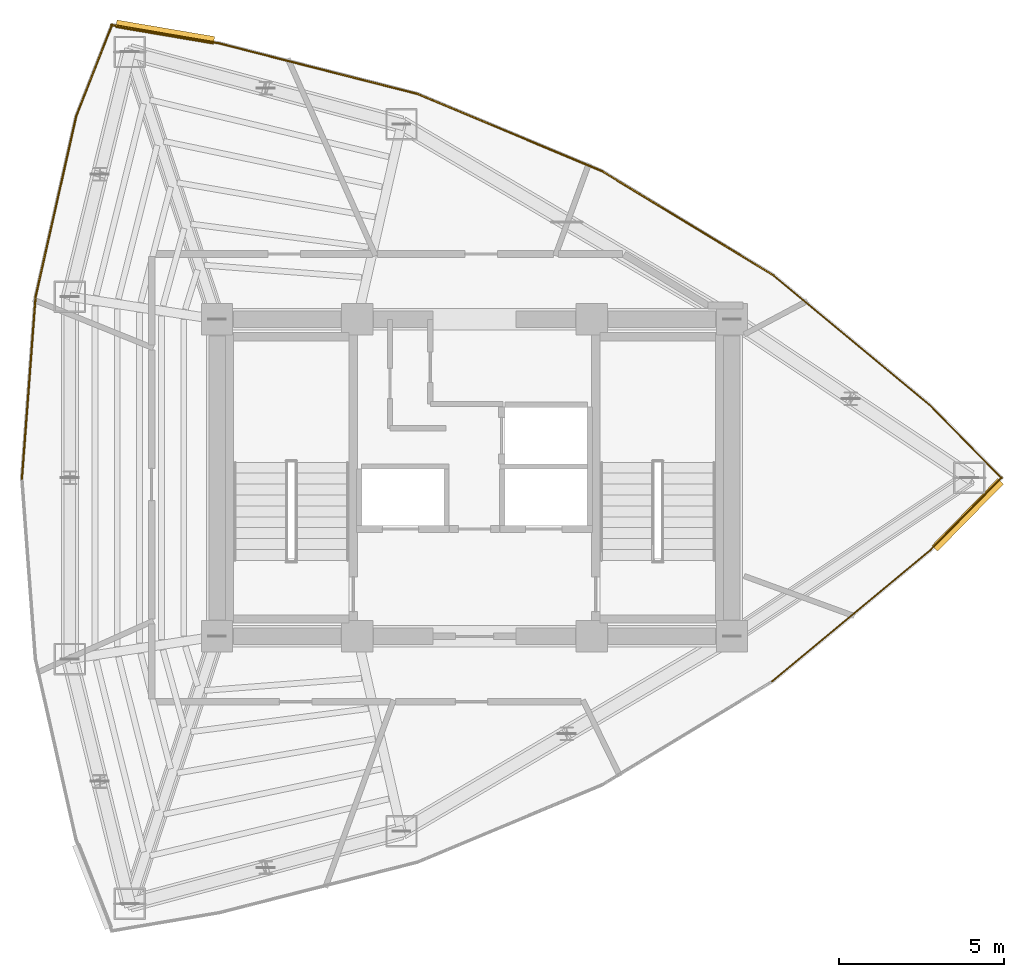
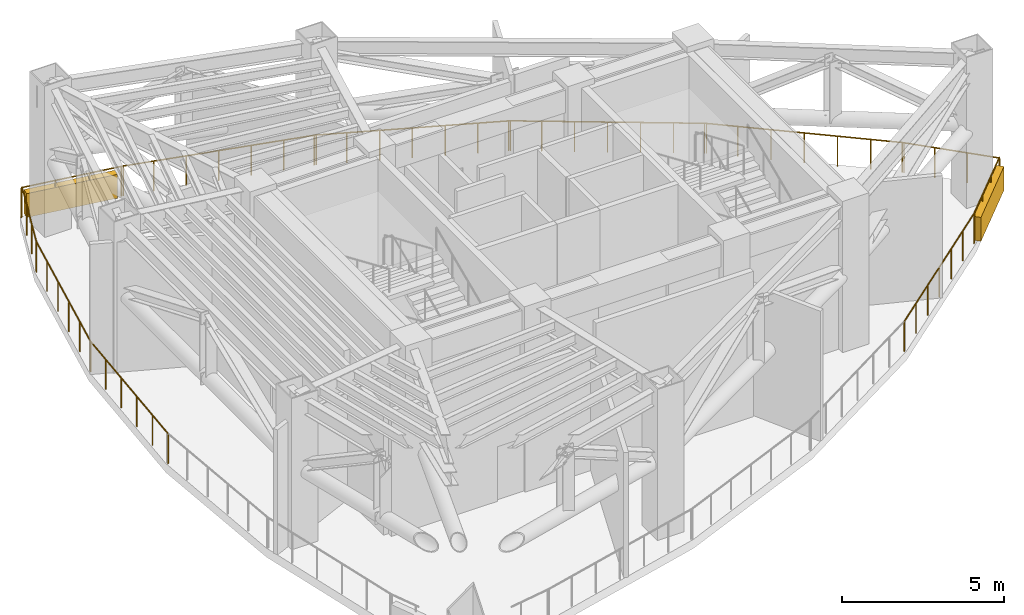
# One storey, part 6 of 6: 11 railings, 2 shading devices.
"""IFC4 building model written with IfcOpenShell, lengths in metres."""

from ifc_helpers import new_model, si_unit, direction, frame, origin, origin_2d, place, context, subcontext, project, spatial, rectangle, circle, extrude, material, layer, layer_set, type_object, element, save


model = new_model("IFC4")

# Units and contexts
model_context = context("Model", 3, precision=1e-05, world=origin(), true_north=direction((0.0, 1.0)))
body_context = subcontext(model_context, "Body", "Model", "MODEL_VIEW")
ifc_project = project(units=[si_unit("LENGTHUNIT", "METRE"), si_unit("AREAUNIT", "SQUARE_METRE"), si_unit("VOLUMEUNIT", "CUBIC_METRE"), si_unit("PLANEANGLEUNIT", "RADIAN"), si_unit("MASSUNIT", "GRAM", prefix="KILO")], contexts=[model_context])

# Site, building, storey
site_placement = place(None, origin())
site = spatial("IfcSite", under=ifc_project, at=site_placement, CompositionType="ELEMENT")
building_placement = place(site_placement, origin())
building = spatial("IfcBuilding", under=site, at=building_placement, Name="Menara Vayukalpa", CompositionType="ELEMENT")
storey_placement = place(building_placement, frame((0.0, 0.0, 213.840087890625)))
storey = spatial("IfcBuildingStorey", under=building, at=storey_placement, Name="L54", CompositionType="ELEMENT", Elevation=213.840087890625)

# Railings
ifc_material_1 = material(Name="Laminated Glass and Stainless Steel 316 Guardrail", Category="steel")
railing_type = type_object("IfcRailingType", Name="RLG-EXT115", PredefinedType="GUARDRAIL", material=ifc_material_1)
railing_1_placement = place(storey_placement, frame((39.421630859375, 19.8212890625, 0.0)))
element("IfcRailing", 1, at=railing_1_placement, inside=storey, type_object=railing_type, Name="L54 Wind Floor Perimeter Guardrail 01", PredefinedType="GUARDRAIL", context=body_context, shape_type="SweptSolid", body=[
    extrude(circle(Radius=0.02392578125, at=origin_2d()), frame((0.0, 0.0, 1.1259765625), z_axis=(-0.769752344156, -0.638342642056, 0.0), x_axis=(0.638342642056, -0.769752344156, 0.0)), (0.0, 0.0, 1.0), 6.251708984375),
    extrude(circle(Radius=0.02099609375, at=origin_2d()), origin(), (0.0, 0.0, 1.0), 1.101806640625),
    extrude(circle(Radius=0.02099609375, at=origin_2d()), frame((-0.802001953125, -0.6650390625, 0.0)), (0.0, 0.0, 1.0), 1.101806640625),
    extrude(circle(Radius=0.02099609375, at=origin_2d()), frame((-1.60400390625, -1.330322265625, 0.0)), (0.0, 0.0, 1.0), 1.101806640625),
    extrude(circle(Radius=0.02099609375, at=origin_2d()), frame((-2.40625, -1.995361328125, 0.0)), (0.0, 0.0, 1.0), 1.101806640625),
    extrude(circle(Radius=0.02099609375, at=origin_2d()), frame((-3.208251953125, -2.660400390625, 0.0)), (0.0, 0.0, 1.0), 1.101806640625),
    extrude(circle(Radius=0.02099609375, at=origin_2d()), frame((-4.01025390625, -3.32568359375, 0.0)), (0.0, 0.0, 1.0), 1.101806640625),
    extrude(circle(Radius=0.02099609375, at=origin_2d()), frame((-4.812255859375, -3.99072265625, 0.0)), (0.0, 0.0, 1.0), 1.101806640625),
])
railing_2_placement = place(storey_placement, frame((11.89013671875, 21.97021484375, 0.0)))
element("IfcRailing", 2, at=railing_2_placement, inside=storey, type_object=railing_type, Name="L54 Wind Floor Perimeter Guardrail 09", PredefinedType="GUARDRAIL", context=body_context, shape_type="SweptSolid", body=[
    extrude(circle(Radius=0.02392578125, at=origin_2d()), frame((0.0, 0.0, 1.1259765625), z_axis=(0.074794318156, 0.997198982135, 0.0), x_axis=(-0.997198982135, 0.074794318156, 0.0)), (0.0, 0.0, 1.0), 5.5556640625),
    extrude(circle(Radius=0.02099609375, at=origin_2d()), origin(), (0.0, 0.0, 1.0), 1.101806640625),
    extrude(circle(Radius=0.02099609375, at=origin_2d()), frame((0.0830078125, 1.10791015625, 0.0)), (0.0, 0.0, 1.0), 1.101806640625),
    extrude(circle(Radius=0.02099609375, at=origin_2d()), frame((0.166259765625, 2.216064453125, 0.0)), (0.0, 0.0, 1.0), 1.101806640625),
    extrude(circle(Radius=0.02099609375, at=origin_2d()), frame((0.249267578125, 3.323974609375, 0.0)), (0.0, 0.0, 1.0), 1.101806640625),
    extrude(circle(Radius=0.02099609375, at=origin_2d()), frame((0.33251953125, 4.43212890625, 0.0)), (0.0, 0.0, 1.0), 1.101806640625),
    extrude(circle(Radius=0.02099609375, at=origin_2d()), frame((0.41552734375, 5.5400390625, 0.0)), (0.0, 0.0, 1.0), 1.101806640625),
])
railing_3_placement = place(storey_placement, frame((12.296875, 27.451171875, 0.0)))
element("IfcRailing", 3, at=railing_3_placement, inside=storey, type_object=railing_type, Name="L54 Wind Floor Perimeter Guardrail 10", PredefinedType="GUARDRAIL", context=body_context, shape_type="SweptSolid", body=[
    extrude(circle(Radius=0.02392578125, at=origin_2d()), frame((0.0, 0.0, 1.1259765625), z_axis=(0.219529590651, 0.975605841941, 0.0), x_axis=(-0.975605841941, 0.219529590651, 0.0)), (0.0, 0.0, 1.0), 5.67724609375),
    extrude(circle(Radius=0.02099609375, at=origin_2d()), origin(), (0.0, 0.0, 1.0), 1.101806640625),
    extrude(circle(Radius=0.02099609375, at=origin_2d()), frame((0.249267578125, 1.107666015625, 0.0)), (0.0, 0.0, 1.0), 1.101806640625),
    extrude(circle(Radius=0.02099609375, at=origin_2d()), frame((0.49853515625, 2.215576171875, 0.0)), (0.0, 0.0, 1.0), 1.101806640625),
    extrude(circle(Radius=0.02099609375, at=origin_2d()), frame((0.747802734375, 3.3232421875, 0.0)), (0.0, 0.0, 1.0), 1.101806640625),
    extrude(circle(Radius=0.02099609375, at=origin_2d()), frame((0.9970703125, 4.43115234375, 0.0)), (0.0, 0.0, 1.0), 1.101806640625),
    extrude(circle(Radius=0.02099609375, at=origin_2d()), frame((1.246337890625, 5.538818359375, 0.0)), (0.0, 0.0, 1.0), 1.101806640625),
])
railing_4_placement = place(storey_placement, frame((13.525634765625, 32.932861328125, 0.0)))
element("IfcRailing", 4, at=railing_4_placement, inside=storey, type_object=railing_type, Name="L54 Wind Floor Perimeter Guardrail 11", PredefinedType="GUARDRAIL", context=body_context, shape_type="SweptSolid", body=[
    extrude(circle(Radius=0.02392578125, at=origin_2d()), frame((0.0, 0.0, 1.1259765625), z_axis=(0.365594801892, 0.930774108379, 0.0), x_axis=(-0.930774108379, 0.365594801892, 0.0)), (0.0, 0.0, 1.0), 3.017822265625),
    extrude(circle(Radius=0.02099609375, at=origin_2d()), origin(), (0.0, 0.0, 1.0), 1.101806640625),
    extrude(circle(Radius=0.02099609375, at=origin_2d()), frame((0.36767578125, 0.936279296875, 0.0)), (0.0, 0.0, 1.0), 1.101806640625),
    extrude(circle(Radius=0.02099609375, at=origin_2d()), frame((0.735595703125, 1.87255859375, 0.0)), (0.0, 0.0, 1.0), 1.101806640625),
    extrude(circle(Radius=0.02099609375, at=origin_2d()), frame((1.103271484375, 2.808837890625, 0.0)), (0.0, 0.0, 1.0), 1.101806640625),
])
railing_5_placement = place(storey_placement, frame((14.588134765625, 35.71875, 0.0)))
element("IfcRailing", 5, at=railing_5_placement, inside=storey, type_object=railing_type, Name="L54 Wind Floor Perimeter Guardrail 12", PredefinedType="GUARDRAIL", context=body_context, shape_type="SweptSolid", body=[
    extrude(circle(Radius=0.02392578125, at=origin_2d()), frame((0.0, 0.0, 1.1259765625), z_axis=(0.985894261888, -0.167369365108, 0.0), x_axis=(0.167369365108, 0.985894261888, 0.0)), (0.0, 0.0, 1.0), 3.35791015625),
    extrude(circle(Radius=0.02099609375, at=origin_2d()), origin(), (0.0, 0.0, 1.0), 1.101806640625),
    extrude(circle(Radius=0.02099609375, at=origin_2d()), frame((1.103515625, -0.187255859375, 0.0)), (0.0, 0.0, 1.0), 1.101806640625),
    extrude(circle(Radius=0.02099609375, at=origin_2d()), frame((2.20703125, -0.374755859375, 0.0)), (0.0, 0.0, 1.0), 1.101806640625),
    extrude(circle(Radius=0.02099609375, at=origin_2d()), frame((3.310546875, -0.56201171875, 0.0)), (0.0, 0.0, 1.0), 1.101806640625),
])
railing_6_placement = place(storey_placement, frame((17.840087890625, 35.169189453125, 0.0)))
element("IfcRailing", 6, at=railing_6_placement, inside=storey, type_object=railing_type, Name="L54 Wind Floor Perimeter Guardrail 13", PredefinedType="GUARDRAIL", context=body_context, shape_type="SweptSolid", body=[
    extrude(circle(Radius=0.02392578125, at=origin_2d()), frame((0.0, 0.0, 1.1259765625), z_axis=(0.968983191486, -0.247126636803, 0.0), x_axis=(0.247126636803, 0.968983191486, 0.0)), (0.0, 0.0, 1.0), 6.25244140625),
    extrude(circle(Radius=0.02099609375, at=origin_2d()), origin(), (0.0, 0.0, 1.0), 1.101806640625),
    extrude(circle(Radius=0.02099609375, at=origin_2d()), frame((1.009765625, -0.257568359375, 0.0)), (0.0, 0.0, 1.0), 1.101806640625),
    extrude(circle(Radius=0.02099609375, at=origin_2d()), frame((2.01953125, -0.51513671875, 0.0)), (0.0, 0.0, 1.0), 1.101806640625),
    extrude(circle(Radius=0.02099609375, at=origin_2d()), frame((3.029296875, -0.7724609375, 0.0)), (0.0, 0.0, 1.0), 1.101806640625),
    extrude(circle(Radius=0.02099609375, at=origin_2d()), frame((4.0390625, -1.030029296875, 0.0)), (0.0, 0.0, 1.0), 1.101806640625),
    extrude(circle(Radius=0.02099609375, at=origin_2d()), frame((5.048828125, -1.28759765625, 0.0)), (0.0, 0.0, 1.0), 1.101806640625),
    extrude(circle(Radius=0.02099609375, at=origin_2d()), frame((6.05859375, -1.545166015625, 0.0)), (0.0, 0.0, 1.0), 1.101806640625),
])
railing_7_placement = place(storey_placement, frame((23.841796875, 33.64306640625, 0.0)))
element("IfcRailing", 7, at=railing_7_placement, inside=storey, type_object=railing_type, Name="L54 Wind Floor Perimeter Guardrail 14", PredefinedType="GUARDRAIL", context=body_context, shape_type="SweptSolid", body=[
    extrude(circle(Radius=0.02392578125, at=origin_2d()), frame((0.0, 0.0, 1.1259765625), z_axis=(0.922545773608, -0.385887672254, 0.0), x_axis=(0.385887672254, 0.922545773608, 0.0)), (0.0, 0.0, 1.0), 6.115966796875),
    extrude(circle(Radius=0.02099609375, at=origin_2d()), origin(), (0.0, 0.0, 1.0), 1.101806640625),
    extrude(circle(Radius=0.02099609375, at=origin_2d()), frame((0.9404296875, -0.393310546875, 0.0)), (0.0, 0.0, 1.0), 1.101806640625),
    extrude(circle(Radius=0.02099609375, at=origin_2d()), frame((1.880859375, -0.78662109375, 0.0)), (0.0, 0.0, 1.0), 1.101806640625),
    extrude(circle(Radius=0.02099609375, at=origin_2d()), frame((2.8212890625, -1.18017578125, 0.0)), (0.0, 0.0, 1.0), 1.101806640625),
    extrude(circle(Radius=0.02099609375, at=origin_2d()), frame((3.761474609375, -1.573486328125, 0.0)), (0.0, 0.0, 1.0), 1.101806640625),
    extrude(circle(Radius=0.02099609375, at=origin_2d()), frame((4.701904296875, -1.966796875, 0.0)), (0.0, 0.0, 1.0), 1.101806640625),
    extrude(circle(Radius=0.02099609375, at=origin_2d()), frame((5.642333984375, -2.360107421875, 0.0)), (0.0, 0.0, 1.0), 1.101806640625),
])
railing_8_placement = place(storey_placement, frame((29.430908203125, 31.31005859375, 0.0)))
element("IfcRailing", 8, at=railing_8_placement, inside=storey, type_object=railing_type, Name="L54 Wind Floor Perimeter Guardrail 15", PredefinedType="GUARDRAIL", context=body_context, shape_type="SweptSolid", body=[
    extrude(circle(Radius=0.02392578125, at=origin_2d()), frame((0.0, 0.0, 1.1259765625), z_axis=(0.854662264989, -0.51918437265, 0.0), x_axis=(0.51918437265, 0.854662264989, 0.0)), (0.0, 0.0, 1.0), 6.115966796875),
    extrude(circle(Radius=0.02099609375, at=origin_2d()), origin(), (0.0, 0.0, 1.0), 1.101806640625),
    extrude(circle(Radius=0.02099609375, at=origin_2d()), frame((0.87109375, -0.529296875, 0.0)), (0.0, 0.0, 1.0), 1.101806640625),
    extrude(circle(Radius=0.02099609375, at=origin_2d()), frame((1.742431640625, -1.058349609375, 0.0)), (0.0, 0.0, 1.0), 1.101806640625),
    extrude(circle(Radius=0.02099609375, at=origin_2d()), frame((2.613525390625, -1.587646484375, 0.0)), (0.0, 0.0, 1.0), 1.101806640625),
    extrude(circle(Radius=0.02099609375, at=origin_2d()), frame((3.484619140625, -2.116943359375, 0.0)), (0.0, 0.0, 1.0), 1.101806640625),
    extrude(circle(Radius=0.02099609375, at=origin_2d()), frame((4.35595703125, -2.64599609375, 0.0)), (0.0, 0.0, 1.0), 1.101806640625),
    extrude(circle(Radius=0.02099609375, at=origin_2d()), frame((5.22705078125, -3.17529296875, 0.0)), (0.0, 0.0, 1.0), 1.101806640625),
])
railing_9_placement = place(storey_placement, frame((34.609375, 28.16943359375, 0.0)))
element("IfcRailing", 9, at=railing_9_placement, inside=storey, type_object=railing_type, Name="L54 Wind Floor Perimeter Guardrail 16", PredefinedType="GUARDRAIL", context=body_context, shape_type="SweptSolid", body=[
    extrude(circle(Radius=0.02392578125, at=origin_2d()), frame((0.0, 0.0, 1.1259765625), z_axis=(0.769752344156, -0.638342642056, 0.0), x_axis=(0.638342642056, 0.769752344156, 0.0)), (0.0, 0.0, 1.0), 6.251708984375),
    extrude(circle(Radius=0.02099609375, at=origin_2d()), origin(), (0.0, 0.0, 1.0), 1.101806640625),
    extrude(circle(Radius=0.02099609375, at=origin_2d()), frame((0.802001953125, -0.6650390625, 0.0)), (0.0, 0.0, 1.0), 1.101806640625),
    extrude(circle(Radius=0.02099609375, at=origin_2d()), frame((1.60400390625, -1.330322265625, 0.0)), (0.0, 0.0, 1.0), 1.101806640625),
    extrude(circle(Radius=0.02099609375, at=origin_2d()), frame((2.40625, -1.995361328125, 0.0)), (0.0, 0.0, 1.0), 1.101806640625),
    extrude(circle(Radius=0.02099609375, at=origin_2d()), frame((3.208251953125, -2.660400390625, 0.0)), (0.0, 0.0, 1.0), 1.101806640625),
    extrude(circle(Radius=0.02099609375, at=origin_2d()), frame((4.01025390625, -3.32568359375, 0.0)), (0.0, 0.0, 1.0), 1.101806640625),
    extrude(circle(Radius=0.02099609375, at=origin_2d()), frame((4.812255859375, -3.99072265625, 0.0)), (0.0, 0.0, 1.0), 1.101806640625),
])
railing_10_placement = place(storey_placement, frame((39.37744140625, 24.21923828125, 0.0)))
element("IfcRailing", 10, at=railing_10_placement, inside=storey, type_object=railing_type, Name="L54 Wind Floor Perimeter Guardrail 17", PredefinedType="GUARDRAIL", context=body_context, shape_type="SweptSolid", body=[
    extrude(circle(Radius=0.02392578125, at=origin_2d()), frame((0.0, 0.0, 1.1259765625), z_axis=(0.700585041622, -0.713568917103, 0.0), x_axis=(0.713568917103, 0.700585041622, 0.0)), (0.0, 0.0, 1.0), 3.14013671875),
    extrude(circle(Radius=0.02099609375, at=origin_2d()), origin(), (0.0, 0.0, 1.0), 1.101806640625),
    extrude(circle(Radius=0.02099609375, at=origin_2d()), frame((0.7333984375, -0.746826171875, 0.0)), (0.0, 0.0, 1.0), 1.101806640625),
    extrude(circle(Radius=0.02099609375, at=origin_2d()), frame((1.466552734375, -1.493896484375, 0.0)), (0.0, 0.0, 1.0), 1.101806640625),
    extrude(circle(Radius=0.02099609375, at=origin_2d()), frame((2.199951171875, -2.24072265625, 0.0)), (0.0, 0.0, 1.0), 1.101806640625),
])
railing_11_placement = place(storey_placement, frame((41.577392578125, 22.021484375, 0.0)))
element("IfcRailing", 11, at=railing_11_placement, inside=storey, type_object=railing_type, Name="L54 Wind Floor Perimeter Guardrail 18", PredefinedType="GUARDRAIL", context=body_context, shape_type="SweptSolid", body=[
    extrude(circle(Radius=0.02392578125, at=origin_2d()), frame((0.0, 0.0, 1.1259765625), z_axis=(-0.700585041622, -0.713568917103, 0.0), x_axis=(0.713568917103, -0.700585041622, 0.0)), (0.0, 0.0, 1.0), 3.14013671875),
    extrude(circle(Radius=0.02099609375, at=origin_2d()), origin(), (0.0, 0.0, 1.0), 1.101806640625),
    extrude(circle(Radius=0.02099609375, at=origin_2d()), frame((-0.7333984375, -0.746826171875, 0.0)), (0.0, 0.0, 1.0), 1.101806640625),
    extrude(circle(Radius=0.02099609375, at=origin_2d()), frame((-1.466552734375, -1.493896484375, 0.0)), (0.0, 0.0, 1.0), 1.101806640625),
    extrude(circle(Radius=0.02099609375, at=origin_2d()), frame((-2.199951171875, -2.24072265625, 0.0)), (0.0, 0.0, 1.0), 1.101806640625),
])

# Shading devices
ifc_material_2 = material(Name="Anodised Terracotta Aluminium Acoustic Louvre", Category="masonry")
ifc_layer = layer(ifc_material_2, 0.280029296875)
ifc_layer_set = layer_set([ifc_layer], Name="Anodised Terracotta Aluminium Acoustic Louvre")
shading_device_type = type_object("IfcShadingDeviceType", Name="SHD-LV1", PredefinedType="JALOUSIE", material=ifc_layer_set)
shading_device_1_placement = place(storey_placement, frame((40.539794921875, 20.87890625, 0.0), z_axis=(0.0, 0.0, 1.0), x_axis=(0.700585529358, 0.713568438241, 0.0)))
element("IfcShadingDevice", 12, at=shading_device_1_placement, inside=storey, type_object=shading_device_type, Name="L54 Wind Floor Acoustic Louvre Screen 01", PredefinedType="JALOUSIE", context=body_context, shape_type="SweptSolid", body=[
    extrude(rectangle(XDim=2.842041015625, YDim=0.239990234375, at=origin_2d()), origin(), (0.0, 0.0, 1.0), 0.89990234375),
])
shading_device_2_placement = place(storey_placement, frame((16.230712890625, 35.500732421875, 0.0), z_axis=(0.0, 0.0, 1.0), x_axis=(-0.985896900907, 0.167353819146, 0.0)))
element("IfcShadingDevice", 13, at=shading_device_2_placement, inside=storey, type_object=shading_device_type, Name="L54 Wind Floor Acoustic Louvre Screen 07", PredefinedType="JALOUSIE", context=body_context, shape_type="SweptSolid", body=[
    extrude(rectangle(XDim=3.0, YDim=0.239990234375, at=origin_2d()), origin(), (0.0, 0.0, 1.0), 0.89990234375),
])

save(model, "model.ifc")
